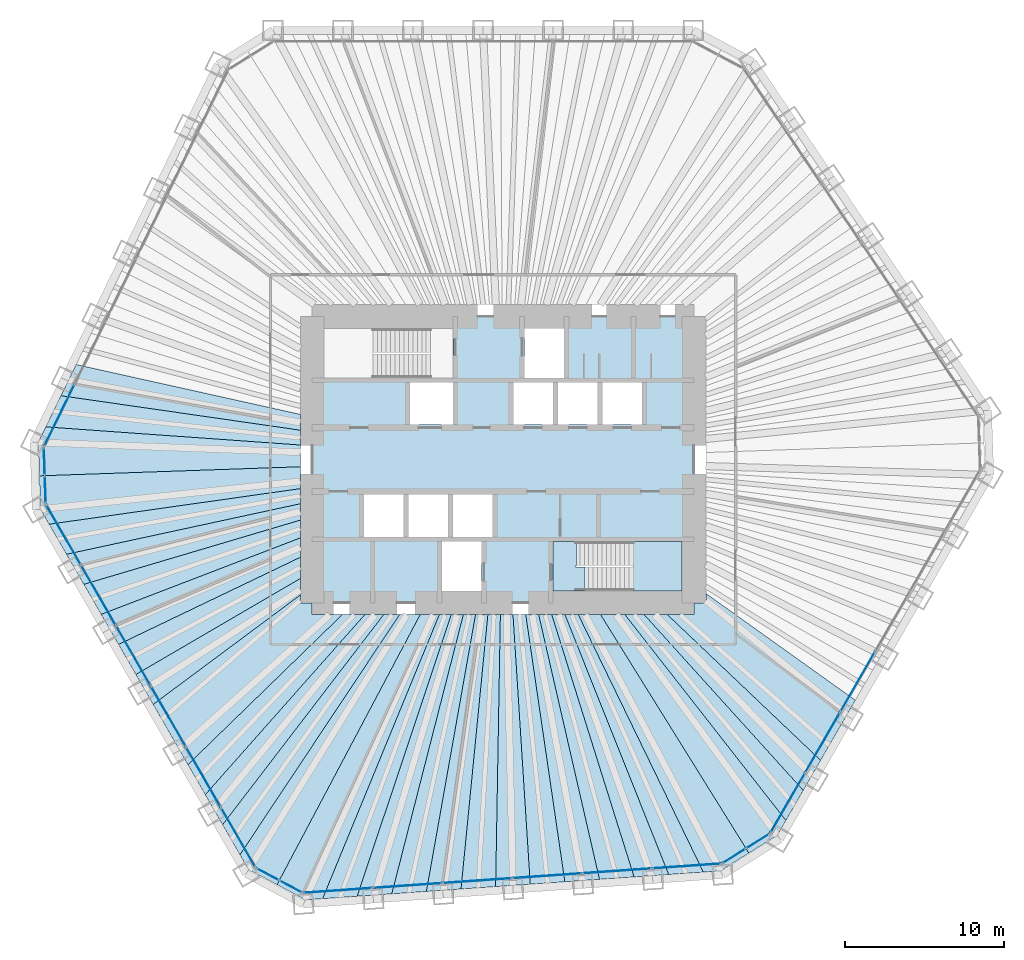
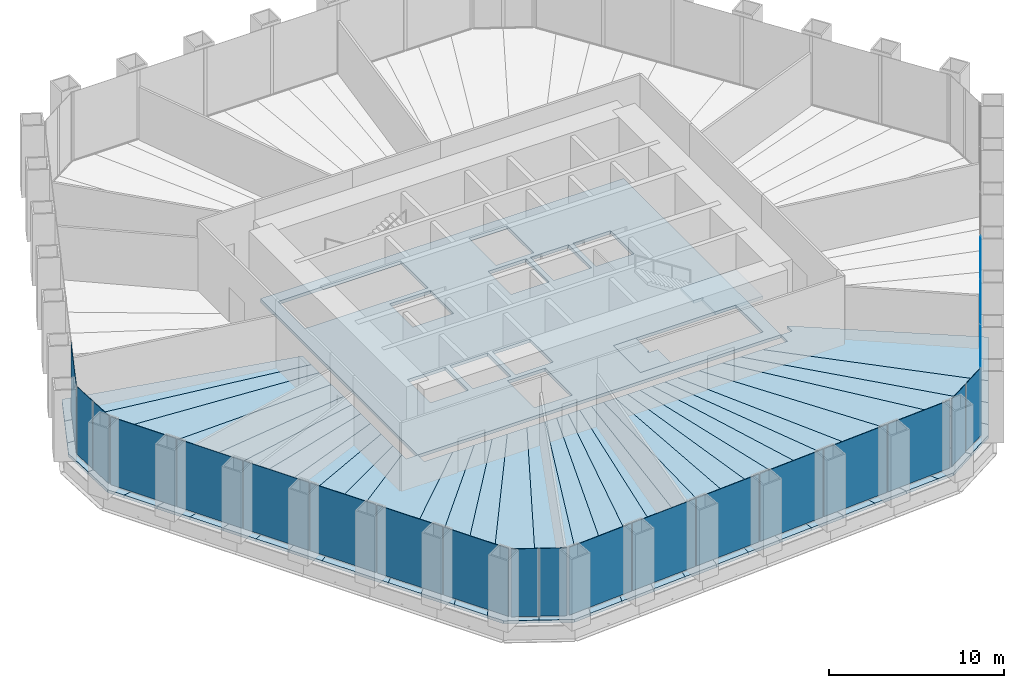
# One storey, part 8 of 13: 35 slabs, 22 plates, 8 elements without a shape of their own.
"""IFC4 building model written with IfcOpenShell, lengths in metres."""

from ifc_helpers import new_model, si_unit, direction, frame, origin, origin_2d, place, context, subcontext, project, spatial, polyline, rectangle, outline, extrude, material, layer, layer_set, type_object, element, aggregate, save


model = new_model("IFC4")

# Units and contexts
model_context = context("Model", 3, precision=1e-05, world=origin(), true_north=direction((0.0, 1.0)))
body_context = subcontext(model_context, "Body", "Model", "MODEL_VIEW")
ifc_project = project(units=[si_unit("LENGTHUNIT", "METRE"), si_unit("AREAUNIT", "SQUARE_METRE"), si_unit("VOLUMEUNIT", "CUBIC_METRE"), si_unit("PLANEANGLEUNIT", "RADIAN"), si_unit("MASSUNIT", "GRAM", prefix="KILO")], contexts=[model_context])

# Site, building, storey
site_placement = place(None, origin())
site = spatial("IfcSite", under=ifc_project, at=site_placement, CompositionType="ELEMENT")
building_placement = place(site_placement, origin())
building = spatial("IfcBuilding", under=site, at=building_placement, Name="Qingtian Harvest Tower", CompositionType="ELEMENT")
storey_placement = place(building_placement, frame((0.0, 0.0, 42.0)))
storey = spatial("IfcBuildingStorey", under=building, at=storey_placement, Name="L08", CompositionType="ELEMENT", Elevation=42.0)

# Slabs
ifc_material_1 = material(Name="Concrete fc' 35 MPa", Category="concrete")
ifc_layer_1 = layer(ifc_material_1, 0.199951171875)
ifc_layer_set_1 = layer_set([ifc_layer_1], Name="Composite floor slab FS20 200")
slab_type_1 = type_object("IfcSlabType", Name="Composite floor slab FS20 200", PredefinedType="FLOOR", material=ifc_layer_set_1)
slab_1_placement = place(storey_placement, frame((0.0, 0.0, -0.199951171875)))
element("IfcSlab", 1, at=slab_1_placement, inside=storey, type_object=slab_type_1, Name="Floor slab L08 panel D01", PredefinedType="FLOOR", context=body_context, shape_type="SweptSolid", body=[
    extrude(outline(polyline([(-29.157470703125, -1.018310546875), (-12.75, -0.447509765625), (-12.75, -1.822998046875), (-28.548583984375, -4.062255859375), (-29.08349609375, -3.135986328125), (-29.157470703125, -1.018310546875)])), origin(), (0.0, 0.0, 1.0), 0.199951171875),
])
slab_2_placement = place(storey_placement, frame((0.0, 0.0, -0.199951171875)))
element("IfcSlab", 2, at=slab_2_placement, inside=storey, type_object=slab_type_1, Name="Floor slab L08 panel D02", PredefinedType="FLOOR", context=body_context, shape_type="SweptSolid", body=[
    extrude(outline(polyline([(-12.75, -2.773681640625), (-27.45751953125, -5.9521484375), (-28.548583984375, -4.062255859375), (-12.75, -1.822998046875), (-12.75, -2.773681640625)])), origin(), (0.0, 0.0, 1.0), 0.199951171875),
])
slab_3_placement = place(storey_placement, frame((0.0, 0.0, -0.199951171875)))
element("IfcSlab", 3, at=slab_3_placement, inside=storey, type_object=slab_type_1, Name="Floor slab L08 panel D03", PredefinedType="FLOOR", context=body_context, shape_type="SweptSolid", body=[
    extrude(outline(polyline([(-12.75, -3.80322265625), (-26.366455078125, -7.842041015625), (-27.45751953125, -5.9521484375), (-12.75, -2.773681640625), (-12.75, -3.80322265625)])), origin(), (0.0, 0.0, 1.0), 0.199951171875),
])
slab_4_placement = place(storey_placement, frame((0.0, 0.0, -0.199951171875)))
element("IfcSlab", 4, at=slab_4_placement, inside=storey, type_object=slab_type_1, Name="Floor slab L08 panel D04", PredefinedType="FLOOR", context=body_context, shape_type="SweptSolid", body=[
    extrude(outline(polyline([(-12.75, -4.921875), (-25.275146484375, -9.732177734375), (-26.366455078125, -7.842041015625), (-12.75, -3.80322265625), (-12.75, -4.921875)])), origin(), (0.0, 0.0, 1.0), 0.199951171875),
])
slab_5_placement = place(storey_placement, frame((0.0, 0.0, -0.199951171875)))
element("IfcSlab", 5, at=slab_5_placement, inside=storey, type_object=slab_type_1, Name="Floor slab L08 panel D05", PredefinedType="FLOOR", context=body_context, shape_type="SweptSolid", body=[
    extrude(outline(polyline([(-12.75, -6.141357421875), (-24.18408203125, -11.6220703125), (-25.275146484375, -9.732177734375), (-12.75, -4.921875), (-12.75, -6.141357421875)])), origin(), (0.0, 0.0, 1.0), 0.199951171875),
])
slab_6_placement = place(storey_placement, frame((0.0, 0.0, -0.199951171875)))
element("IfcSlab", 6, at=slab_6_placement, inside=storey, type_object=slab_type_1, Name="Floor slab L08 panel D06", PredefinedType="FLOOR", context=body_context, shape_type="SweptSolid", body=[
    extrude(outline(polyline([(-12.75, -7.4765625), (-23.0927734375, -13.511962890625), (-24.18408203125, -11.6220703125), (-12.75, -6.141357421875), (-12.75, -7.4765625)])), origin(), (0.0, 0.0, 1.0), 0.199951171875),
])
slab_7_placement = place(storey_placement, frame((0.0, 0.0, -0.199951171875)))
element("IfcSlab", 7, at=slab_7_placement, inside=storey, type_object=slab_type_1, Name="Floor slab L08 panel D07", PredefinedType="FLOOR", context=body_context, shape_type="SweptSolid", body=[
    extrude(outline(polyline([(-12.75, -8.512451171875), (-22.00537109375, -15.3955078125), (-23.0927734375, -13.511962890625), (-12.75, -7.4765625), (-12.75, -8.512451171875)])), origin(), (0.0, 0.0, 1.0), 0.199951171875),
])
slab_8_placement = place(storey_placement, frame((0.0, 0.0, -0.199951171875)))
element("IfcSlab", 8, at=slab_8_placement, inside=storey, type_object=slab_type_1, Name="Floor slab L08 panel D09", PredefinedType="FLOOR", context=body_context, shape_type="SweptSolid", body=[
    extrude(outline(polyline([(-19.81982421875, -19.18115234375), (-22.00537109375, -15.3955078125), (-12.75, -8.512451171875), (-12.75, -9.0), (-12.0, -9.0), (-12.0, -9.75), (-10.1123046875, -9.75), (-19.81982421875, -19.18115234375)])), origin(), (0.0, 0.0, 1.0), 0.199951171875),
])
slab_9_placement = place(storey_placement, frame((0.0, 0.0, -0.199951171875)))
element("IfcSlab", 9, at=slab_9_placement, inside=storey, type_object=slab_type_1, Name="Floor slab L08 panel D10", PredefinedType="FLOOR", context=body_context, shape_type="SweptSolid", body=[
    extrude(outline(polyline([(-8.694580078125, -9.75), (-18.728515625, -21.0712890625), (-19.81982421875, -19.18115234375), (-10.1123046875, -9.75), (-8.694580078125, -9.75)])), origin(), (0.0, 0.0, 1.0), 0.199951171875),
])
slab_10_placement = place(storey_placement, frame((0.0, 0.0, -0.199951171875)))
element("IfcSlab", 10, at=slab_10_placement, inside=storey, type_object=slab_type_1, Name="Floor slab L08 panel D11", PredefinedType="FLOOR", context=body_context, shape_type="SweptSolid", body=[
    extrude(outline(polyline([(-7.511474609375, -9.75), (-17.63720703125, -22.961181640625), (-18.728515625, -21.0712890625), (-8.694580078125, -9.75), (-7.511474609375, -9.75)])), origin(), (0.0, 0.0, 1.0), 0.199951171875),
])
slab_11_placement = place(storey_placement, frame((0.0, 0.0, -0.199951171875)))
element("IfcSlab", 11, at=slab_11_placement, inside=storey, type_object=slab_type_1, Name="Floor slab L08 panel D12", PredefinedType="FLOOR", context=body_context, shape_type="SweptSolid", body=[
    extrude(outline(polyline([(-6.509033203125, -9.75), (-16.546142578125, -24.851318359375), (-17.63720703125, -22.961181640625), (-7.511474609375, -9.75), (-6.509033203125, -9.75)])), origin(), (0.0, 0.0, 1.0), 0.199951171875),
])
slab_12_placement = place(storey_placement, frame((0.0, 0.0, -0.199951171875)))
element("IfcSlab", 12, at=slab_12_placement, inside=storey, type_object=slab_type_1, Name="Floor slab L08 panel D13", PredefinedType="FLOOR", context=body_context, shape_type="SweptSolid", body=[
    extrude(outline(polyline([(-6.509033203125, -9.75), (-5.213623046875, -9.75), (-14.214599609375, -26.73291015625), (-16.01123046875, -25.777587890625), (-16.546142578125, -24.851318359375), (-6.509033203125, -9.75)])), origin(), (0.0, 0.0, 1.0), 0.199951171875),
])
slab_13_placement = place(storey_placement, frame((0.0, 0.0, -0.199951171875)))
element("IfcSlab", 13, at=slab_13_placement, inside=storey, type_object=slab_type_1, Name="Floor slab L08 panel D14", PredefinedType="FLOOR", context=body_context, shape_type="SweptSolid", body=[
    extrude(outline(polyline([(-5.213623046875, -9.75), (-4.006591796875, -9.75), (-11.350341796875, -27.614013671875), (-12.417236328125, -27.688720703125), (-14.214599609375, -26.73291015625), (-5.213623046875, -9.75)])), origin(), (0.0, 0.0, 1.0), 0.199951171875),
])
slab_14_placement = place(storey_placement, frame((0.0, 0.0, -0.199951171875)))
element("IfcSlab", 14, at=slab_14_placement, inside=storey, type_object=slab_type_1, Name="Floor slab L08 panel D15", PredefinedType="FLOOR", context=body_context, shape_type="SweptSolid", body=[
    extrude(outline(polyline([(-3.255859375, -9.75), (-9.17333984375, -27.4619140625), (-11.350341796875, -27.614013671875), (-4.006591796875, -9.75), (-3.255859375, -9.75)])), origin(), (0.0, 0.0, 1.0), 0.199951171875),
])
slab_15_placement = place(storey_placement, frame((0.0, 0.0, -0.199951171875)))
element("IfcSlab", 15, at=slab_15_placement, inside=storey, type_object=slab_type_1, Name="Floor slab L08 panel D16", PredefinedType="FLOOR", context=body_context, shape_type="SweptSolid", body=[
    extrude(outline(polyline([(-2.496826171875, -9.75), (-6.996337890625, -27.3095703125), (-9.17333984375, -27.4619140625), (-3.255859375, -9.75), (-2.496826171875, -9.75)])), origin(), (0.0, 0.0, 1.0), 0.199951171875),
])
slab_16_placement = place(storey_placement, frame((0.0, 0.0, -0.199951171875)))
element("IfcSlab", 16, at=slab_16_placement, inside=storey, type_object=slab_type_1, Name="Floor slab L08 panel D17", PredefinedType="FLOOR", context=body_context, shape_type="SweptSolid", body=[
    extrude(outline(polyline([(-1.729248046875, -9.75), (-4.8193359375, -27.1572265625), (-6.996337890625, -27.3095703125), (-2.496826171875, -9.75), (-1.729248046875, -9.75)])), origin(), (0.0, 0.0, 1.0), 0.199951171875),
])
slab_17_placement = place(storey_placement, frame((0.0, 0.0, -0.199951171875)))
element("IfcSlab", 17, at=slab_17_placement, inside=storey, type_object=slab_type_1, Name="Floor slab L08 panel D18", PredefinedType="FLOOR", context=body_context, shape_type="SweptSolid", body=[
    extrude(outline(polyline([(-0.952880859375, -9.75), (-2.642333984375, -27.005126953125), (-4.8193359375, -27.1572265625), (-1.729248046875, -9.75), (-0.952880859375, -9.75)])), origin(), (0.0, 0.0, 1.0), 0.199951171875),
])
slab_18_placement = place(storey_placement, frame((0.0, 0.0, -0.199951171875)))
element("IfcSlab", 18, at=slab_18_placement, inside=storey, type_object=slab_type_1, Name="Floor slab L08 panel D19", PredefinedType="FLOOR", context=body_context, shape_type="SweptSolid", body=[
    extrude(outline(polyline([(-0.16796875, -9.75), (-0.46533203125, -26.852783203125), (-2.642333984375, -27.005126953125), (-0.952880859375, -9.75), (-0.16796875, -9.75)])), origin(), (0.0, 0.0, 1.0), 0.199951171875),
])
slab_19_placement = place(storey_placement, frame((0.0, 0.0, -0.199951171875)))
element("IfcSlab", 19, at=slab_19_placement, inside=storey, type_object=slab_type_1, Name="Floor slab L08 panel D20", PredefinedType="FLOOR", context=body_context, shape_type="SweptSolid", body=[
    extrude(outline(polyline([(0.626220703125, -9.75), (1.711669921875, -26.70068359375), (-0.46533203125, -26.852783203125), (-0.16796875, -9.75), (0.626220703125, -9.75)])), origin(), (0.0, 0.0, 1.0), 0.199951171875),
])
slab_20_placement = place(storey_placement, frame((0.0, 0.0, -0.199951171875)))
element("IfcSlab", 20, at=slab_20_placement, inside=storey, type_object=slab_type_1, Name="Floor slab L08 panel D21", PredefinedType="FLOOR", context=body_context, shape_type="SweptSolid", body=[
    extrude(outline(polyline([(1.42919921875, -9.75), (3.888671875, -26.54833984375), (1.711669921875, -26.70068359375), (0.626220703125, -9.75), (1.42919921875, -9.75)])), origin(), (0.0, 0.0, 1.0), 0.199951171875),
])
slab_21_placement = place(storey_placement, frame((0.0, 0.0, -0.199951171875)))
element("IfcSlab", 21, at=slab_21_placement, inside=storey, type_object=slab_type_1, Name="Floor slab L08 panel D22", PredefinedType="FLOOR", context=body_context, shape_type="SweptSolid", body=[
    extrude(outline(polyline([(2.24169921875, -9.75), (6.065673828125, -26.396240234375), (3.888671875, -26.54833984375), (1.42919921875, -9.75), (2.24169921875, -9.75)])), origin(), (0.0, 0.0, 1.0), 0.199951171875),
])
slab_22_placement = place(storey_placement, frame((0.0, 0.0, -0.199951171875)))
element("IfcSlab", 22, at=slab_22_placement, inside=storey, type_object=slab_type_1, Name="Floor slab L08 panel D23", PredefinedType="FLOOR", context=body_context, shape_type="SweptSolid", body=[
    extrude(outline(polyline([(3.0634765625, -9.75), (8.24267578125, -26.243896484375), (6.065673828125, -26.396240234375), (2.24169921875, -9.75), (3.0634765625, -9.75)])), origin(), (0.0, 0.0, 1.0), 0.199951171875),
])
slab_23_placement = place(storey_placement, frame((0.0, 0.0, -0.199951171875)))
element("IfcSlab", 23, at=slab_23_placement, inside=storey, type_object=slab_type_1, Name="Floor slab L08 panel D24", PredefinedType="FLOOR", context=body_context, shape_type="SweptSolid", body=[
    extrude(outline(polyline([(3.894775390625, -9.75), (10.419677734375, -26.091796875), (8.24267578125, -26.243896484375), (3.0634765625, -9.75), (3.894775390625, -9.75)])), origin(), (0.0, 0.0, 1.0), 0.199951171875),
])
slab_24_placement = place(storey_placement, frame((0.0, 0.0, -0.199951171875)))
element("IfcSlab", 24, at=slab_24_placement, inside=storey, type_object=slab_type_1, Name="Floor slab L08 panel D25", PredefinedType="FLOOR", context=body_context, shape_type="SweptSolid", body=[
    extrude(outline(polyline([(4.736083984375, -9.75), (12.5966796875, -25.939453125), (10.419677734375, -26.091796875), (3.894775390625, -9.75), (4.736083984375, -9.75)])), origin(), (0.0, 0.0, 1.0), 0.199951171875),
])
slab_25_placement = place(storey_placement, frame((0.0, 0.0, -0.199951171875)))
element("IfcSlab", 25, at=slab_25_placement, inside=storey, type_object=slab_type_1, Name="Floor slab L08 panel D26", PredefinedType="FLOOR", context=body_context, shape_type="SweptSolid", body=[
    extrude(outline(polyline([(4.736083984375, -9.75), (6.136474609375, -9.75), (15.4609375, -24.74169921875), (13.663330078125, -25.864990234375), (12.5966796875, -25.939453125), (4.736083984375, -9.75)])), origin(), (0.0, 0.0, 1.0), 0.199951171875),
])
slab_26_placement = place(storey_placement, frame((0.0, 0.0, -0.199951171875)))
element("IfcSlab", 26, at=slab_26_placement, inside=storey, type_object=slab_type_1, Name="Floor slab L08 panel D27", PredefinedType="FLOOR", context=body_context, shape_type="SweptSolid", body=[
    extrude(outline(polyline([(6.136474609375, -9.75), (7.66748046875, -9.75), (17.79248046875, -22.692626953125), (17.257568359375, -23.618896484375), (15.4609375, -24.74169921875), (6.136474609375, -9.75)])), origin(), (0.0, 0.0, 1.0), 0.199951171875),
])
slab_27_placement = place(storey_placement, frame((0.0, 0.0, -0.199951171875)))
element("IfcSlab", 27, at=slab_27_placement, inside=storey, type_object=slab_type_1, Name="Floor slab L08 panel D28", PredefinedType="FLOOR", context=body_context, shape_type="SweptSolid", body=[
    extrude(outline(polyline([(8.88037109375, -9.75), (18.883544921875, -20.802734375), (17.79248046875, -22.692626953125), (7.66748046875, -9.75), (8.88037109375, -9.75)])), origin(), (0.0, 0.0, 1.0), 0.199951171875),
])
slab_28_placement = place(storey_placement, frame((0.0, 0.0, -0.199951171875)))
element("IfcSlab", 28, at=slab_28_placement, inside=storey, type_object=slab_type_1, Name="Floor slab L08 panel D29", PredefinedType="FLOOR", context=body_context, shape_type="SweptSolid", body=[
    extrude(outline(polyline([(10.337158203125, -9.75), (19.974853515625, -18.91259765625), (18.883544921875, -20.802734375), (8.88037109375, -9.75), (10.337158203125, -9.75)])), origin(), (0.0, 0.0, 1.0), 0.199951171875),
])
slab_29_placement = place(storey_placement, frame((0.0, 0.0, -0.199951171875)))
element("IfcSlab", 29, at=slab_29_placement, inside=storey, type_object=slab_type_1, Name="Floor slab L08 panel D31", PredefinedType="FLOOR", context=body_context, shape_type="SweptSolid", body=[
    extrude(outline(polyline([(12.75, -8.4091796875), (22.159423828125, -15.128662109375), (19.974853515625, -18.91259765625), (10.337158203125, -9.75), (12.0, -9.75), (12.0, -9.0), (12.75, -9.0), (12.75, -8.4091796875)])), origin(), (0.0, 0.0, 1.0), 0.199951171875),
])
slab_30_placement = place(storey_placement, frame((0.0, 0.0, -0.199951171875)))
element("IfcSlab", 30, at=slab_30_placement, inside=storey, type_object=slab_type_1, Name="Floor slab L08 panel D76", PredefinedType="FLOOR", context=body_context, shape_type="SweptSolid", body=[
    extrude(outline(polyline([(-12.75, 1.8525390625), (-27.805908203125, 4.022216796875), (-26.84912109375, 5.98388671875), (-12.75, 2.8505859375), (-12.75, 1.8525390625)])), origin(), (0.0, 0.0, 1.0), 0.199951171875),
])
slab_31_placement = place(storey_placement, frame((0.0, 0.0, -0.199951171875)))
element("IfcSlab", 31, at=slab_31_placement, inside=storey, type_object=slab_type_1, Name="Floor slab L08 panel D77", PredefinedType="FLOOR", context=body_context, shape_type="SweptSolid", body=[
    extrude(outline(polyline([(-12.75, 0.9208984375), (-28.762451171875, 2.060791015625), (-27.805908203125, 4.022216796875), (-12.75, 1.8525390625), (-12.75, 0.9208984375)])), origin(), (0.0, 0.0, 1.0), 0.199951171875),
])
slab_32_placement = place(storey_placement, frame((0.0, 0.0, -0.199951171875)))
element("IfcSlab", 32, at=slab_32_placement, inside=storey, type_object=slab_type_1, Name="Floor slab L08 panel D78", PredefinedType="FLOOR", context=body_context, shape_type="SweptSolid", body=[
    extrude(outline(polyline([(-12.75, 0.9208984375), (-12.75, -0.447509765625), (-29.157470703125, -1.018310546875), (-29.2314453125, 1.099609375), (-28.762451171875, 2.060791015625), (-12.75, 0.9208984375)])), origin(), (0.0, 0.0, 1.0), 0.199951171875),
])
ifc_material_2 = material(Name="Concrete fc' 35 MPa", Category="concrete")
ifc_layer_2 = layer(ifc_material_2, 0.219970703125)
ifc_layer_set_2 = layer_set([ifc_layer_2], Name="Core floor slab CS22 220")
slab_type_2 = type_object("IfcSlabType", Name="Core floor slab CS22 220", PredefinedType="FLOOR", material=ifc_layer_set_2)
slab_33_placement = place(storey_placement, frame((0.0, 0.0, -0.219970703125)))
element("IfcSlab", 33, at=slab_33_placement, inside=storey, type_object=slab_type_2, Name="Core floor slab L08", PredefinedType="FLOOR", context=body_context, shape_type="SweptSolid", body=[
    extrude(outline(polyline([(-12.0, -9.0), (12.0, -9.0), (12.0, 9.0), (-12.0, 9.0), (-12.0, -9.0)]), holes=[polyline([(-11.25, 5.14990234375), (-3.14990234375, 5.14990234375), (-3.14990234375, 8.25), (-11.25, 8.25), (-11.25, 5.14990234375)]), polyline([(3.14990234375, -8.25), (11.25, -8.25), (11.25, -5.14990234375), (3.14990234375, -5.14990234375), (3.14990234375, -8.25)]), polyline([(1.35009765625, 5.14990234375), (3.85009765625, 5.14990234375), (3.85009765625, 8.25), (1.35009765625, 8.25), (1.35009765625, 5.14990234375)]), polyline([(-3.85009765625, -8.25), (-1.35009765625, -8.25), (-1.35009765625, -5.14990234375), (-3.85009765625, -5.14990234375), (-3.85009765625, -8.25)]), polyline([(-5.85009765625, 2.199951171875), (-3.14990234375, 2.199951171875), (-3.14990234375, 4.85009765625), (-5.85009765625, 4.85009765625), (-5.85009765625, 2.199951171875)]), polyline([(0.64990234375, 2.199951171875), (3.14990234375, 2.199951171875), (3.14990234375, 4.85009765625), (0.64990234375, 4.85009765625), (0.64990234375, 2.199951171875)]), polyline([(3.449951171875, 2.199951171875), (5.949951171875, 2.199951171875), (5.949951171875, 4.85009765625), (3.449951171875, 4.85009765625), (3.449951171875, 2.199951171875)]), polyline([(6.25, 2.199951171875), (8.75, 2.199951171875), (8.75, 4.85009765625), (6.25, 4.85009765625), (6.25, 2.199951171875)]), polyline([(-8.75, -4.85009765625), (-6.25, -4.85009765625), (-6.25, -2.199951171875), (-8.75, -2.199951171875), (-8.75, -4.85009765625)]), polyline([(-5.949951171875, -4.85009765625), (-3.449951171875, -4.85009765625), (-3.449951171875, -2.199951171875), (-5.949951171875, -2.199951171875), (-5.949951171875, -4.85009765625)]), polyline([(-3.14990234375, -4.85009765625), (-0.64990234375, -4.85009765625), (-0.64990234375, -2.199951171875), (-3.14990234375, -2.199951171875), (-3.14990234375, -4.85009765625)])]), origin(), (0.0, 0.0, 1.0), 0.219970703125),
])

# Curtain wall, plates
ifc_material_3 = material(Name="Bronze-anodised aluminium curtain wall", Category="aluminium")
curtain_wall_type = type_object("IfcCurtainWallType", Name="Curtain wall CW2 farm reception", PredefinedType="USERDEFINED", material=ifc_material_3)
curtain_wall_1_placement = place(storey_placement, origin())
curtain_wall_1 = element("IfcCurtainWall", 34, at=curtain_wall_1_placement, inside=storey, type_object=curtain_wall_type, Name="Curtain wall CW2 L08 SE0-5", ObjectType="RECESSED CURTAIN WALL", PredefinedType="USERDEFINED")
ifc_material_4 = material(Name="Bronze-tinted laminated insulating glass", Category="glass")
ifc_layer_3 = layer(ifc_material_4, 0.030029296875)
ifc_layer_set_3 = layer_set([ifc_layer_3], Name="Glazed panel CWP tinted IGU")
plate_type = type_object("IfcPlateType", Name="Glazed panel CWP tinted IGU", PredefinedType="CURTAIN_PANEL", material=ifc_layer_set_3)
plate_1_placement = place(storey_placement, frame((22.30419921875, -13.968017578125, 0.06494140625), z_axis=(0.0, 0.0, 1.0), x_axis=(-0.5, -0.866025403784, 0.0)))
plate_1 = element("IfcPlate", 35, at=plate_1_placement, type_object=plate_type, Name="CW2 panel 4.1", PredefinedType="CURTAIN_PANEL", context=body_context, shape_type="SweptSolid", body=[
    extrude(rectangle(XDim=4.339599609375, YDim=0.030029296875, at=origin_2d()), origin(), (0.0, 0.0, 1.0), 4.735107421875),
])
plate_2_placement = place(storey_placement, frame((20.101806640625, -17.782470703125, 0.06494140625), z_axis=(0.0, 0.0, 1.0), x_axis=(-0.5, -0.866025403784, 0.0)))
plate_2 = element("IfcPlate", 36, at=plate_2_placement, type_object=plate_type, Name="CW2 panel 5.1", PredefinedType="CURTAIN_PANEL", context=body_context, shape_type="SweptSolid", body=[
    extrude(rectangle(XDim=4.339599609375, YDim=0.030029296875, at=origin_2d()), origin(), (0.0, 0.0, 1.0), 4.735107421875),
])
plate_3_placement = place(storey_placement, frame((17.90771484375, -21.5830078125, 0.06494140625), z_axis=(0.0, 0.0, 1.0), x_axis=(-0.5, -0.866025403784, 0.0)))
plate_3 = element("IfcPlate", 37, at=plate_3_placement, type_object=plate_type, Name="CW2 panel 6.1", PredefinedType="CURTAIN_PANEL", context=body_context, shape_type="SweptSolid", body=[
    extrude(rectangle(XDim=4.30712890625, YDim=0.030029296875, at=origin_2d()), origin(), (0.0, 0.0, 1.0), 4.735107421875),
])
aggregate(curtain_wall_1, [plate_1, plate_2, plate_3])

curtain_wall_2_placement = place(storey_placement, origin())
curtain_wall_2 = element("IfcCurtainWall", 38, at=curtain_wall_2_placement, inside=storey, type_object=curtain_wall_type, Name="Curtain wall CW2 L08 SEC", ObjectType="RECESSED CURTAIN WALL", PredefinedType="USERDEFINED")
plate_4_placement = place(storey_placement, frame((16.025390625, -23.9873046875, 0.06494140625), z_axis=(0.0, 0.0, 1.0), x_axis=(-0.848048096156, -0.529919264233, 0.0)))
plate_4 = element("IfcPlate", 39, at=plate_4_placement, type_object=plate_type, Name="CW2 panel 1.1", PredefinedType="CURTAIN_PANEL", context=body_context, shape_type="SweptSolid", body=[
    extrude(rectangle(XDim=1.69287109375, YDim=0.030029296875, at=origin_2d()), origin(), (0.0, 0.0, 1.0), 4.735107421875),
])
plate_5_placement = place(storey_placement, frame((14.53466796875, -24.9189453125, 0.06494140625), z_axis=(0.0, 0.0, 1.0), x_axis=(-0.848048096156, -0.529919264233, 0.0)))
plate_5 = element("IfcPlate", 40, at=plate_5_placement, type_object=plate_type, Name="CW2 panel 2.1", PredefinedType="CURTAIN_PANEL", context=body_context, shape_type="SweptSolid", body=[
    extrude(rectangle(XDim=1.69287109375, YDim=0.030029296875, at=origin_2d()), origin(), (0.0, 0.0, 1.0), 4.735107421875),
])
aggregate(curtain_wall_2, [plate_4, plate_5])

curtain_wall_3_placement = place(storey_placement, origin())
curtain_wall_3 = element("IfcCurtainWall", 41, at=curtain_wall_3_placement, inside=storey, type_object=curtain_wall_type, Name="Curtain wall CW2 L08 S0-5", ObjectType="RECESSED CURTAIN WALL", PredefinedType="USERDEFINED")
plate_6_placement = place(storey_placement, frame((11.548583984375, -25.556640625, 0.06494140625), z_axis=(0.0, 0.0, 1.0), x_axis=(-0.99756405026, -0.069756473744, 0.0)))
plate_6 = element("IfcPlate", 42, at=plate_6_placement, type_object=plate_type, Name="CW2 panel 1.1", PredefinedType="CURTAIN_PANEL", context=body_context, shape_type="SweptSolid", body=[
    extrude(rectangle(XDim=4.30712890625, YDim=0.030029296875, at=origin_2d()), origin(), (0.0, 0.0, 1.0), 4.735107421875),
])
plate_7_placement = place(storey_placement, frame((7.1708984375, -25.86279296875, 0.06494140625), z_axis=(0.0, 0.0, 1.0), x_axis=(-0.99756405026, -0.069756473744, 0.0)))
plate_7 = element("IfcPlate", 43, at=plate_7_placement, type_object=plate_type, Name="CW2 panel 2.1", PredefinedType="CURTAIN_PANEL", context=body_context, shape_type="SweptSolid", body=[
    extrude(rectangle(XDim=4.339599609375, YDim=0.030029296875, at=origin_2d()), origin(), (0.0, 0.0, 1.0), 4.735107421875),
])
plate_8_placement = place(storey_placement, frame((2.77685546875, -26.169921875, 0.06494140625), z_axis=(0.0, 0.0, 1.0), x_axis=(-0.99756405026, -0.069756473744, 0.0)))
plate_8 = element("IfcPlate", 44, at=plate_8_placement, type_object=plate_type, Name="CW2 panel 3.1", PredefinedType="CURTAIN_PANEL", context=body_context, shape_type="SweptSolid", body=[
    extrude(rectangle(XDim=4.339599609375, YDim=0.030029296875, at=origin_2d()), origin(), (0.0, 0.0, 1.0), 4.735107421875),
])
plate_9_placement = place(storey_placement, frame((-1.616943359375, -26.477294921875, 0.06494140625), z_axis=(0.0, 0.0, 1.0), x_axis=(-0.99756405026, -0.069756473744, 0.0)))
plate_9 = element("IfcPlate", 45, at=plate_9_placement, type_object=plate_type, Name="CW2 panel 4.1", PredefinedType="CURTAIN_PANEL", context=body_context, shape_type="SweptSolid", body=[
    extrude(rectangle(XDim=4.339599609375, YDim=0.030029296875, at=origin_2d()), origin(), (0.0, 0.0, 1.0), 4.735107421875),
])
plate_10_placement = place(storey_placement, frame((-6.0107421875, -26.784423828125, 0.06494140625), z_axis=(0.0, 0.0, 1.0), x_axis=(-0.99756405026, -0.069756473744, 0.0)))
plate_10 = element("IfcPlate", 46, at=plate_10_placement, type_object=plate_type, Name="CW2 panel 5.1", PredefinedType="CURTAIN_PANEL", context=body_context, shape_type="SweptSolid", body=[
    extrude(rectangle(XDim=4.339599609375, YDim=0.030029296875, at=origin_2d()), origin(), (0.0, 0.0, 1.0), 4.735107421875),
])
plate_11_placement = place(storey_placement, frame((-10.388427734375, -27.090576171875, 0.06494140625), z_axis=(0.0, 0.0, 1.0), x_axis=(-0.99756405026, -0.069756473744, 0.0)))
plate_11 = element("IfcPlate", 47, at=plate_11_placement, type_object=plate_type, Name="CW2 panel 6.1", PredefinedType="CURTAIN_PANEL", context=body_context, shape_type="SweptSolid", body=[
    extrude(rectangle(XDim=4.30712890625, YDim=0.030029296875, at=origin_2d()), origin(), (0.0, 0.0, 1.0), 4.735107421875),
])
aggregate(curtain_wall_3, [plate_6, plate_7, plate_8, plate_9, plate_10, plate_11])

curtain_wall_4_placement = place(storey_placement, origin())
curtain_wall_4 = element("IfcCurtainWall", 48, at=curtain_wall_4_placement, inside=storey, type_object=curtain_wall_type, Name="Curtain wall CW2 L08 SC", ObjectType="RECESSED CURTAIN WALL", PredefinedType="USERDEFINED")
plate_12_placement = place(storey_placement, frame((-13.350830078125, -26.84716796875, 0.06494140625), z_axis=(0.0, 0.0, 1.0), x_axis=(-0.882947592859, 0.469471562786, 0.0)))
plate_12 = element("IfcPlate", 49, at=plate_12_placement, type_object=plate_type, Name="CW2 panel 1.1", PredefinedType="CURTAIN_PANEL", context=body_context, shape_type="SweptSolid", body=[
    extrude(rectangle(XDim=1.56689453125, YDim=0.030029296875, at=origin_2d()), origin(), (0.0, 0.0, 1.0), 4.735107421875),
])
plate_13_placement = place(storey_placement, frame((-14.79150390625, -26.0810546875, 0.06494140625), z_axis=(0.0, 0.0, 1.0), x_axis=(-0.882947592859, 0.469471562786, 0.0)))
plate_13 = element("IfcPlate", 50, at=plate_13_placement, type_object=plate_type, Name="CW2 panel 2.1", PredefinedType="CURTAIN_PANEL", context=body_context, shape_type="SweptSolid", body=[
    extrude(rectangle(XDim=1.56689453125, YDim=0.030029296875, at=origin_2d()), origin(), (0.0, 0.0, 1.0), 4.735107421875),
])
aggregate(curtain_wall_4, [plate_12, plate_13])

curtain_wall_5_placement = place(storey_placement, origin())
curtain_wall_5 = element("IfcCurtainWall", 51, at=curtain_wall_5_placement, inside=storey, type_object=curtain_wall_type, Name="Curtain wall CW2 L08 SW0-5", ObjectType="RECESSED CURTAIN WALL", PredefinedType="USERDEFINED")
plate_14_placement = place(storey_placement, frame((-16.64990234375, -23.76123046875, 0.06494140625), z_axis=(0.0, 0.0, 1.0), x_axis=(-0.5, 0.866025403784, 0.0)))
plate_14 = element("IfcPlate", 52, at=plate_14_placement, type_object=plate_type, Name="CW2 panel 1.1", PredefinedType="CURTAIN_PANEL", context=body_context, shape_type="SweptSolid", body=[
    extrude(rectangle(XDim=4.30712890625, YDim=0.030029296875, at=origin_2d()), origin(), (0.0, 0.0, 1.0), 4.735107421875),
])
plate_15_placement = place(storey_placement, frame((-18.84423828125, -19.9609375, 0.06494140625), z_axis=(0.0, 0.0, 1.0), x_axis=(-0.5, 0.866025403784, 0.0)))
plate_15 = element("IfcPlate", 53, at=plate_15_placement, type_object=plate_type, Name="CW2 panel 2.1", PredefinedType="CURTAIN_PANEL", context=body_context, shape_type="SweptSolid", body=[
    extrude(rectangle(XDim=4.339599609375, YDim=0.030029296875, at=origin_2d()), origin(), (0.0, 0.0, 1.0), 4.735107421875),
])
plate_16_placement = place(storey_placement, frame((-21.04638671875, -16.146484375, 0.06494140625), z_axis=(0.0, 0.0, 1.0), x_axis=(-0.5, 0.866025403784, 0.0)))
plate_16 = element("IfcPlate", 54, at=plate_16_placement, type_object=plate_type, Name="CW2 panel 3.1", PredefinedType="CURTAIN_PANEL", context=body_context, shape_type="SweptSolid", body=[
    extrude(rectangle(XDim=4.339599609375, YDim=0.030029296875, at=origin_2d()), origin(), (0.0, 0.0, 1.0), 4.735107421875),
])
plate_17_placement = place(storey_placement, frame((-23.248779296875, -12.33203125, 0.06494140625), z_axis=(0.0, 0.0, 1.0), x_axis=(-0.5, 0.866025403784, 0.0)))
plate_17 = element("IfcPlate", 55, at=plate_17_placement, type_object=plate_type, Name="CW2 panel 4.1", PredefinedType="CURTAIN_PANEL", context=body_context, shape_type="SweptSolid", body=[
    extrude(rectangle(XDim=4.339599609375, YDim=0.030029296875, at=origin_2d()), origin(), (0.0, 0.0, 1.0), 4.735107421875),
])
plate_18_placement = place(storey_placement, frame((-25.451171875, -8.517333984375, 0.06494140625), z_axis=(0.0, 0.0, 1.0), x_axis=(-0.5, 0.866025403784, 0.0)))
plate_18 = element("IfcPlate", 56, at=plate_18_placement, type_object=plate_type, Name="CW2 panel 5.1", PredefinedType="CURTAIN_PANEL", context=body_context, shape_type="SweptSolid", body=[
    extrude(rectangle(XDim=4.339599609375, YDim=0.030029296875, at=origin_2d()), origin(), (0.0, 0.0, 1.0), 4.735107421875),
])
plate_19_placement = place(storey_placement, frame((-27.645263671875, -4.717041015625, 0.06494140625), z_axis=(0.0, 0.0, 1.0), x_axis=(-0.5, 0.866025403784, 0.0)))
plate_19 = element("IfcPlate", 57, at=plate_19_placement, type_object=plate_type, Name="CW2 panel 6.1", PredefinedType="CURTAIN_PANEL", context=body_context, shape_type="SweptSolid", body=[
    extrude(rectangle(XDim=4.30712890625, YDim=0.030029296875, at=origin_2d()), origin(), (0.0, 0.0, 1.0), 4.735107421875),
])
aggregate(curtain_wall_5, [plate_14, plate_15, plate_16, plate_17, plate_18, plate_19])

curtain_wall_6_placement = place(storey_placement, origin())
curtain_wall_6 = element("IfcCurtainWall", 58, at=curtain_wall_6_placement, inside=storey, type_object=curtain_wall_type, Name="Curtain wall CW2 L08 SWC", ObjectType="RECESSED CURTAIN WALL", PredefinedType="USERDEFINED")
plate_20_placement = place(storey_placement, frame((-28.786376953125, -1.884765625, 0.06494140625), z_axis=(0.0, 0.0, 1.0), x_axis=(-0.034899496703, 0.999390827019, 0.0)))
plate_20 = element("IfcPlate", 59, at=plate_20_placement, type_object=plate_type, Name="CW2 panel 1.1", PredefinedType="CURTAIN_PANEL", context=body_context, shape_type="SweptSolid", body=[
    extrude(rectangle(XDim=1.69287109375, YDim=0.030029296875, at=origin_2d()), origin(), (0.0, 0.0, 1.0), 4.735107421875),
])
plate_21_placement = place(storey_placement, frame((-28.84765625, -0.1279296875, 0.06494140625), z_axis=(0.0, 0.0, 1.0), x_axis=(-0.034899496703, 0.999390827019, 0.0)))
plate_21 = element("IfcPlate", 60, at=plate_21_placement, type_object=plate_type, Name="CW2 panel 2.1", PredefinedType="CURTAIN_PANEL", context=body_context, shape_type="SweptSolid", body=[
    extrude(rectangle(XDim=1.69287109375, YDim=0.030029296875, at=origin_2d()), origin(), (0.0, 0.0, 1.0), 4.735107421875),
])
aggregate(curtain_wall_6, [plate_20, plate_21])

# Curtain wall, plate
curtain_wall_7_placement = place(storey_placement, origin())
curtain_wall_7 = element("IfcCurtainWall", 61, at=curtain_wall_7_placement, inside=storey, type_object=curtain_wall_type, Name="Curtain wall CW2 L08 NW0-5", ObjectType="RECESSED CURTAIN WALL", PredefinedType="USERDEFINED")
plate_22_placement = place(storey_placement, frame((-27.906982421875, 2.777099609375, 0.06494140625), z_axis=(0.0, 0.0, 1.0), x_axis=(0.438371146789, 0.898794046299, 0.0)))
plate_22 = element("IfcPlate", 62, at=plate_22_placement, type_object=plate_type, Name="CW2 panel 1.1", PredefinedType="CURTAIN_PANEL", context=body_context, shape_type="SweptSolid", body=[
    extrude(rectangle(XDim=4.30712890625, YDim=0.030029296875, at=origin_2d()), origin(), (0.0, 0.0, 1.0), 4.735107421875),
])
aggregate(curtain_wall_7, [plate_22])

# Stair, slabs
ifc_material_5 = material(Name="Concrete fc' 35 MPa", Category="concrete")
stair_type = type_object("IfcStairType", Name="Special stair ST2 5000", PredefinedType="HALF_TURN_STAIR", material=ifc_material_5)
stair_placement = place(storey_placement, origin())
stair = element("IfcStair", 63, at=stair_placement, inside=storey, type_object=stair_type, Name="Special stair S2 L08", PredefinedType="HALF_TURN_STAIR")
ifc_material_6 = material(Name="Concrete fc' 35 MPa", Category="concrete")
ifc_layer_4 = layer(ifc_material_6, 0.199951171875)
ifc_layer_set_4 = layer_set([ifc_layer_4], Name="Stair landing SL2 200")
slab_type_3 = type_object("IfcSlabType", Name="Stair landing SL2 200", PredefinedType="LANDING", material=ifc_layer_set_4)
slab_34_placement = place(storey_placement, frame((0.0, 0.0, -0.199951171875)))
slab_34 = element("IfcSlab", 64, at=slab_34_placement, type_object=slab_type_3, Name="S2 landing 1", PredefinedType="LANDING", context=body_context, shape_type="SweptSolid", body=[
    extrude(outline(polyline([(5.155029296875, -8.25), (3.14990234375, -8.25), (3.14990234375, -5.14990234375), (4.64990234375, -5.14990234375), (4.64990234375, -6.64990234375), (4.550048828125, -6.64990234375), (4.550048828125, -6.75), (5.155029296875, -6.75), (5.155029296875, -8.25)])), origin(), (0.0, 0.0, 1.0), 0.199951171875),
])
slab_35_placement = place(storey_placement, frame((0.0, 0.0, 2.300048828125)))
slab_35 = element("IfcSlab", 65, at=slab_35_placement, type_object=slab_type_3, Name="S2 landing 2", PredefinedType="LANDING", context=body_context, shape_type="SweptSolid", body=[
    extrude(outline(polyline([(8.090087890625, -8.25), (8.090087890625, -6.75), (8.18994140625, -6.75), (8.18994140625, -6.64990234375), (7.5849609375, -6.64990234375), (7.5849609375, -5.14990234375), (11.25, -5.14990234375), (11.25, -8.25), (8.090087890625, -8.25)])), origin(), (0.0, 0.0, 1.0), 0.199951171875),
])
aggregate(stair, [slab_34, slab_35])

save(model, "model.ifc")
